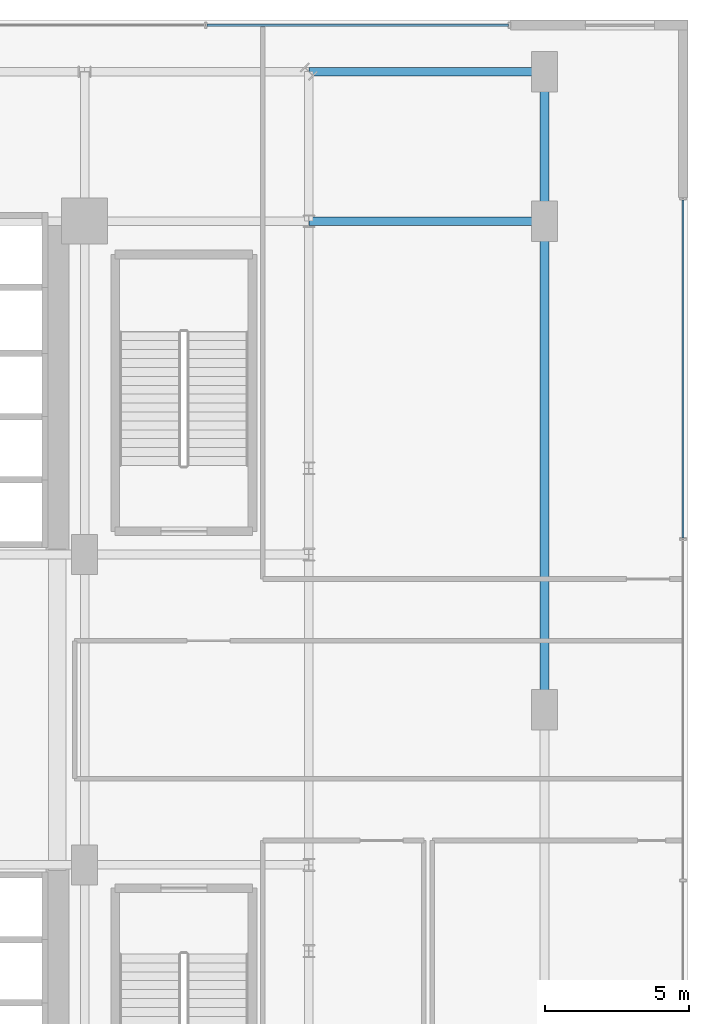
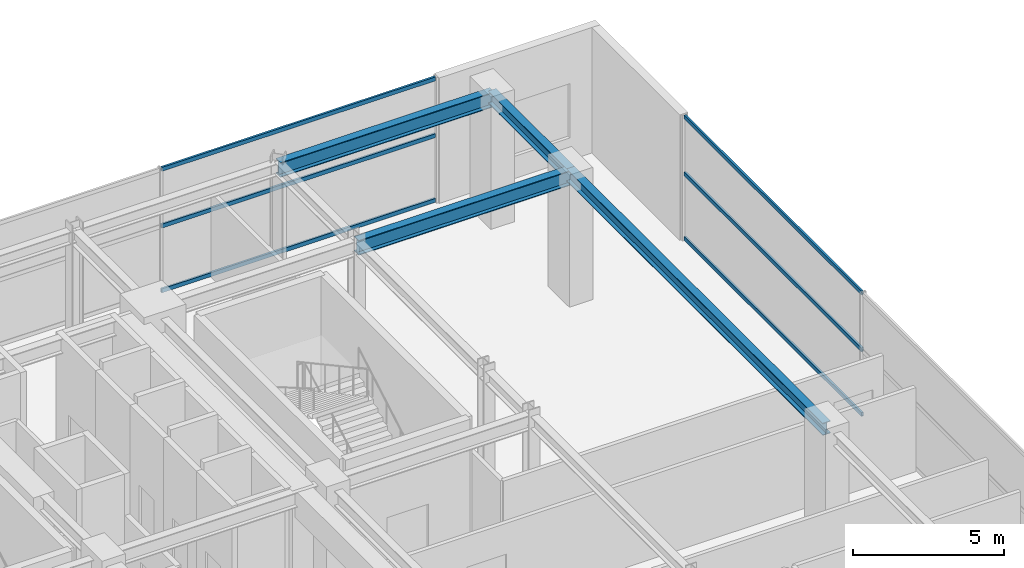
# One storey, part 24 of 32: 6 members, 4 beams, 2 elements without a shape of their own.
"""IFC4 building model written with IfcOpenShell, lengths in metres."""

from ifc_helpers import new_model, si_unit, direction, frame, origin, origin_2d, place, context, subcontext, project, spatial, hollow_rectangle, i_section, extrude, source, transform, mapped, material, material_profile, profile_set, type_object, element, aggregate, save


model = new_model("IFC4")

# Units and contexts
model_context = context("Model", 3, precision=1e-05, world=origin(), true_north=direction((0.0, 1.0)))
body_context = subcontext(model_context, "Body", "Model", "MODEL_VIEW")
ifc_project = project(units=[si_unit("LENGTHUNIT", "METRE"), si_unit("AREAUNIT", "SQUARE_METRE"), si_unit("VOLUMEUNIT", "CUBIC_METRE"), si_unit("PLANEANGLEUNIT", "RADIAN"), si_unit("MASSUNIT", "GRAM", prefix="KILO")], contexts=[model_context])

# Site, building, storey
site_placement = place(None, origin())
site = spatial("IfcSite", under=ifc_project, at=site_placement, CompositionType="ELEMENT")
building_placement = place(site_placement, origin())
building = spatial("IfcBuilding", under=site, at=building_placement, Name="Nahalor Promenade Grand Hotel", CompositionType="ELEMENT")
storey_placement = place(building_placement, frame((0.0, 0.0, 5.39990234375)))
storey = spatial("IfcBuildingStorey", under=building, at=storey_placement, Name="L01", CompositionType="ELEMENT", Elevation=5.39990234375)

# Beams
ifc_material_1 = material(Name="Steel S355JR", Category="steel")
ifc_material_profile_1 = material_profile(ifc_material_1, i_section(OverallWidth=0.3, OverallDepth=0.6, WebThickness=0.0155, FlangeThickness=0.03, at=origin_2d()), Name="HEB 600")
ifc_profile_set_1 = profile_set([ifc_material_profile_1], Name="Steel S355JR")
beam_type_1 = type_object("IfcBeamType", Name="Beam-Girder-HEB600", PredefinedType="BEAM", material=ifc_profile_set_1)
shared_shape_1 = source(origin(), body_context, "Body", "SweptSolid", [
    extrude(i_section(OverallWidth=0.3, OverallDepth=0.6, WebThickness=0.0155, FlangeThickness=0.03, at=origin_2d()), origin(), (0.0, 0.0, 1.0), 8.199951171875),
])
for number, where, z_axis, x_axis, name in (
    (1, (24.800048828125, 17.0, 4.780029296875), (1.0, 0.0, 0.0), (0.0, 1.0, 0.0), "BM-L01-GX-3-8"),
    (2, (24.800048828125, 22.199951171875, 4.780029296875), (1.0, 0.0, 0.0), (0.0, 1.0, 0.0), "BM-L01-TIE-PE-+22"),
):
    element("IfcBeam", number, at=place(storey_placement, frame(where, z_axis=z_axis, x_axis=x_axis)), inside=storey, type_object=beam_type_1, Name=name, PredefinedType="BEAM", context=body_context, shape_type="MappedRepresentation", body=[
        mapped(shared_shape_1, transform((0.0, 0.0, 0.0), scale=1.0)),
    ])
ifc_material_profile_2 = material_profile(ifc_material_1, i_section(OverallWidth=0.3, OverallDepth=0.5, WebThickness=0.0145, FlangeThickness=0.028, at=origin_2d()), Name="HEB 500")
ifc_profile_set_2 = profile_set([ifc_material_profile_2], Name="Steel S355JR")
beam_type_2 = type_object("IfcBeamType", Name="Beam-Spandrel-HEB500", PredefinedType="SPANDREL", material=ifc_profile_set_2)
shared_shape_2 = source(origin(), body_context, "Body", "SweptSolid", [
    extrude(i_section(OverallWidth=0.3, OverallDepth=0.5, WebThickness=0.0145, FlangeThickness=0.028, at=origin_2d()), origin(), (0.0, 0.0, 1.0), 5.199951171875),
])
beam_1_placement = place(storey_placement, frame((33.0, 17.0, 4.830078125), z_axis=(0.0, 1.0, 0.0), x_axis=(-1.0, 0.0, 0.0)))
element("IfcBeam", 3, at=beam_1_placement, inside=storey, type_object=beam_type_2, Name="BM-L01-PE-3", PredefinedType="SPANDREL", context=body_context, shape_type="MappedRepresentation", body=[
    mapped(shared_shape_2, transform((0.0, 0.0, 0.0), scale=1.0)),
])
shared_shape_3 = source(origin(), body_context, "Body", "SweptSolid", [
    extrude(i_section(OverallWidth=0.3, OverallDepth=0.5, WebThickness=0.0145, FlangeThickness=0.028, at=origin_2d()), origin(), (0.0, 0.0, 1.0), 17.0),
])
beam_2_placement = place(storey_placement, frame((33.0, 0.0, 4.830078125), z_axis=(0.0, 1.0, 0.0), x_axis=(-1.0, 0.0, 0.0)))
element("IfcBeam", 4, at=beam_2_placement, inside=storey, type_object=beam_type_2, Name="BM-L01-PE-2", PredefinedType="SPANDREL", context=body_context, shape_type="MappedRepresentation", body=[
    mapped(shared_shape_3, transform((0.0, 0.0, 0.0), scale=1.0)),
])

# Curtain wall, members
ifc_material_2 = material(Name="Anodised Bronze Aluminium EN AW-6063 T6", Category="aluminium")
curtain_wall_type = type_object("IfcCurtainWallType", Name="CW1 Waterfront Podium Bronze Arcade Curtain Wall", PredefinedType="USERDEFINED", material=ifc_material_2)
curtain_wall_1_placement = place(storey_placement, origin())
curtain_wall_1 = element("IfcCurtainWall", 5, at=curtain_wall_1_placement, inside=storey, type_object=curtain_wall_type, Name="L01 Curtain Wall CW-L01-N", ObjectType="UNITISED_CURTAIN_WALL", PredefinedType="USERDEFINED")
ifc_material_profile_3 = material_profile(ifc_material_2, hollow_rectangle(XDim=0.08, YDim=0.16, WallThickness=0.004, at=origin_2d()), Name="CWT 80x160x4")
ifc_profile_set_3 = profile_set([ifc_material_profile_3], Name="Anodised Bronze Aluminium EN AW-6063 T6")
member_type = type_object("IfcMemberType", Name="CWT1 Podium Bronze Transom 80x160", PredefinedType="USERDEFINED", material=ifc_profile_set_3)
shared_shape_4 = source(origin(), body_context, "Body", "SweptSolid", [
    extrude(hollow_rectangle(XDim=0.08, YDim=0.16, WallThickness=0.004, at=origin_2d()), origin(), (0.0, 0.0, 1.0), 10.486572265625),
])
member_1_placement = place(storey_placement, frame((21.25341796875, 23.820068359375, 0.080078125), z_axis=(1.0, 0.0, 0.0), x_axis=(0.0, 1.0, 0.0)))
member_1 = element("IfcMember", 6, at=member_1_placement, type_object=member_type, Name="CW-L01-N Transom 5-0", ObjectType="TRANSOM", PredefinedType="USERDEFINED", context=body_context, shape_type="MappedRepresentation", body=[
    mapped(shared_shape_4, transform((0.0, 0.0, 0.0), scale=1.0)),
])
member_2_placement = place(storey_placement, frame((21.25341796875, 23.820068359375, 2.7001953125), z_axis=(1.0, 0.0, 0.0), x_axis=(0.0, 1.0, 0.0)))
member_2 = element("IfcMember", 7, at=member_2_placement, type_object=member_type, Name="CW-L01-N Transom 5-1", ObjectType="TRANSOM", PredefinedType="USERDEFINED", context=body_context, shape_type="MappedRepresentation", body=[
    mapped(shared_shape_4, transform((0.0, 0.0, 0.0), scale=1.0)),
])
member_3_placement = place(storey_placement, frame((21.25341796875, 23.820068359375, 5.0), z_axis=(1.0, 0.0, 0.0), x_axis=(0.0, 1.0, 0.0)))
member_3 = element("IfcMember", 8, at=member_3_placement, type_object=member_type, Name="CW-L01-N Transom 5-2", ObjectType="TRANSOM", PredefinedType="USERDEFINED", context=body_context, shape_type="MappedRepresentation", body=[
    mapped(shared_shape_4, transform((0.0, 0.0, 0.0), scale=1.0)),
])
aggregate(curtain_wall_1, [member_1, member_2, member_3])

curtain_wall_2_placement = place(storey_placement, origin())
curtain_wall_2 = element("IfcCurtainWall", 9, at=curtain_wall_2_placement, inside=storey, type_object=curtain_wall_type, Name="L01 Curtain Wall CW-L01-E", ObjectType="UNITISED_CURTAIN_WALL", PredefinedType="USERDEFINED")
shared_shape_5 = source(origin(), body_context, "Body", "SweptSolid", [
    extrude(hollow_rectangle(XDim=0.08, YDim=0.16, WallThickness=0.004, at=origin_2d()), origin(), (0.0, 0.0, 1.0), 11.760009765625),
])
member_4_placement = place(storey_placement, frame((37.820068359375, 5.97998046875, 0.080078125), z_axis=(0.0, 1.0, 0.0), x_axis=(-1.0, 0.0, 0.0)))
member_4 = element("IfcMember", 10, at=member_4_placement, type_object=member_type, Name="CW-L01-E Transom 2-0", ObjectType="TRANSOM", PredefinedType="USERDEFINED", context=body_context, shape_type="MappedRepresentation", body=[
    mapped(shared_shape_5, transform((0.0, 0.0, 0.0), scale=1.0)),
])
member_5_placement = place(storey_placement, frame((37.820068359375, 5.97998046875, 2.7001953125), z_axis=(0.0, 1.0, 0.0), x_axis=(-1.0, 0.0, 0.0)))
member_5 = element("IfcMember", 11, at=member_5_placement, type_object=member_type, Name="CW-L01-E Transom 2-1", ObjectType="TRANSOM", PredefinedType="USERDEFINED", context=body_context, shape_type="MappedRepresentation", body=[
    mapped(shared_shape_5, transform((0.0, 0.0, 0.0), scale=1.0)),
])
member_6_placement = place(storey_placement, frame((37.820068359375, 5.97998046875, 5.0), z_axis=(0.0, 1.0, 0.0), x_axis=(-1.0, 0.0, 0.0)))
member_6 = element("IfcMember", 12, at=member_6_placement, type_object=member_type, Name="CW-L01-E Transom 2-2", ObjectType="TRANSOM", PredefinedType="USERDEFINED", context=body_context, shape_type="MappedRepresentation", body=[
    mapped(shared_shape_5, transform((0.0, 0.0, 0.0), scale=1.0)),
])
aggregate(curtain_wall_2, [member_4, member_5, member_6])

save(model, "model.ifc")
